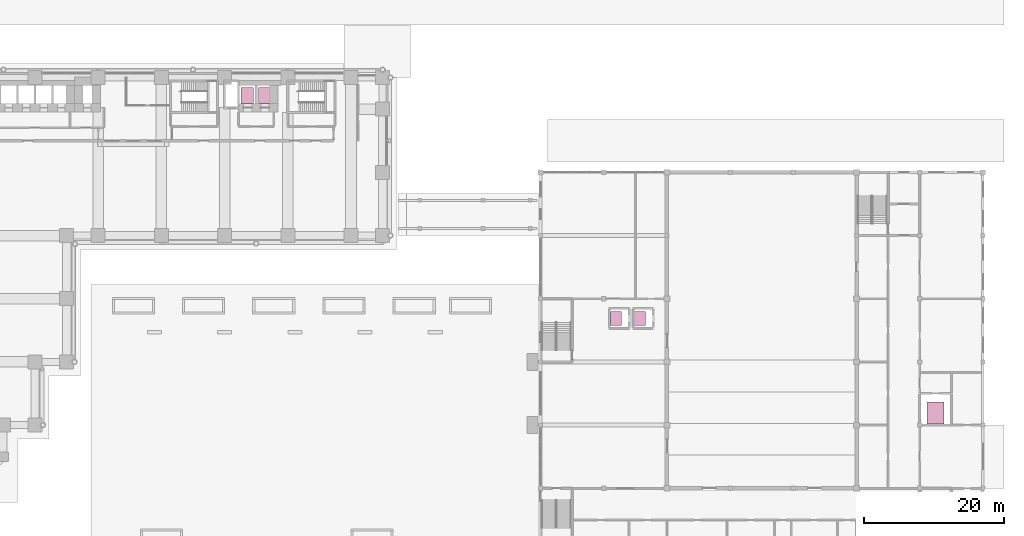
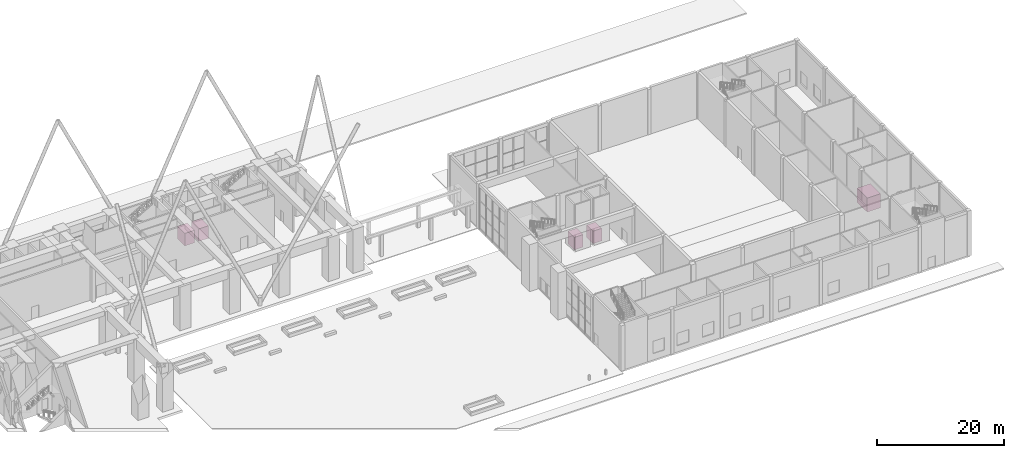
# One storey, part 44 of 44: 5 transport elements.
"""IFC4 building model written with IfcOpenShell, lengths in metres."""

from ifc_helpers import new_model, si_unit, direction, frame, origin, origin_2d, place, context, subcontext, project, spatial, rectangle, extrude, material, type_object, element, save


model = new_model("IFC4")

# Units and contexts
model_context = context("Model", 3, precision=1e-05, world=origin(), true_north=direction((0.0, 1.0)))
body_context = subcontext(model_context, "Body", "Model", "MODEL_VIEW")
ifc_project = project(units=[si_unit("LENGTHUNIT", "METRE"), si_unit("AREAUNIT", "SQUARE_METRE"), si_unit("VOLUMEUNIT", "CUBIC_METRE"), si_unit("PLANEANGLEUNIT", "RADIAN"), si_unit("MASSUNIT", "GRAM", prefix="KILO")], contexts=[model_context])

# Site, building, storey
site_placement = place(None, origin())
site = spatial("IfcSite", under=ifc_project, at=site_placement, CompositionType="ELEMENT")
building_placement = place(site_placement, origin())
building = spatial("IfcBuilding", under=site, at=building_placement, Name="Firuza Court", CompositionType="ELEMENT")
storey_placement = place(building_placement, origin())
storey = spatial("IfcBuildingStorey", under=building, at=storey_placement, Name="L00", CompositionType="ELEMENT", Elevation=0.0)

# Transport elements
ifc_material_1 = material(Name="Stainless steel lift car", Category="steel")
transport_element_type_1 = type_object("IfcTransportElementType", Name="HALL GOODS LIFT 2400X3200", PredefinedType="ELEVATOR", material=ifc_material_1)
transport_element_placement = place(storey_placement, frame((146.25, 10.72509765625, 0.0), z_axis=(0.0, 0.0, 1.0), x_axis=(1.0, 0.0, 0.0)))
element("IfcTransportElement", 1, at=transport_element_placement, inside=storey, type_object=transport_element_type_1, Name="Lift GL1", PredefinedType="ELEVATOR", context=body_context, shape_type="SweptSolid", body=[
    extrude(rectangle(XDim=2.39990234375, YDim=3.199951171875, at=origin_2d()), origin(), (0.0, 0.0, 1.0), 2.699951171875),
])
ifc_material_2 = material(Name="Stainless steel lift car", Category="steel")
transport_element_type_2 = type_object("IfcTransportElementType", Name="HALL LIFT 1600X2000", PredefinedType="ELEVATOR", material=ifc_material_2)
for number, where, z_axis, x_axis, name in (
    (2, (100.72509765625, 24.199951171875, 0.0), (0.0, 0.0, 1.0), (1.0, 0.0, 0.0), "Lift PL1"),
    (3, (104.125, 24.199951171875, 0.0), (0.0, 0.0, 1.0), (1.0, 0.0, 0.0), "Lift PL2"),
):
    element("IfcTransportElement", number, at=place(storey_placement, frame(where, z_axis=z_axis, x_axis=x_axis)), inside=storey, type_object=transport_element_type_2, Name=name, PredefinedType="ELEVATOR", context=body_context, shape_type="SweptSolid", body=[
        extrude(rectangle(XDim=1.60009765625, YDim=2.0, at=origin_2d()), origin(), (0.0, 0.0, 1.0), 2.39990234375),
    ])
ifc_material_3 = material(Name="Stainless steel 1.4301 car", Category="steel")
transport_element_type_3 = type_object("IfcTransportElementType", Name="Passenger lift car 1800 x 2300", PredefinedType="ELEVATOR", material=ifc_material_3)
for number, where, z_axis, x_axis, name in (
    (4, (48.25, 55.949951171875, 0.0), (0.0, 0.0, 1.0), (1.0, 0.0, 0.0), "Lift SH1"),
    (5, (50.75, 55.949951171875, 0.0), (0.0, 0.0, 1.0), (1.0, 0.0, 0.0), "Lift SH2"),
):
    element("IfcTransportElement", number, at=place(storey_placement, frame(where, z_axis=z_axis, x_axis=x_axis)), inside=storey, type_object=transport_element_type_3, Name=name, PredefinedType="ELEVATOR", context=body_context, shape_type="SweptSolid", body=[
        extrude(rectangle(XDim=1.800048828125, YDim=2.300048828125, at=origin_2d()), origin(), (0.0, 0.0, 1.0), 2.39990234375),
    ])

save(model, "model.ifc")
